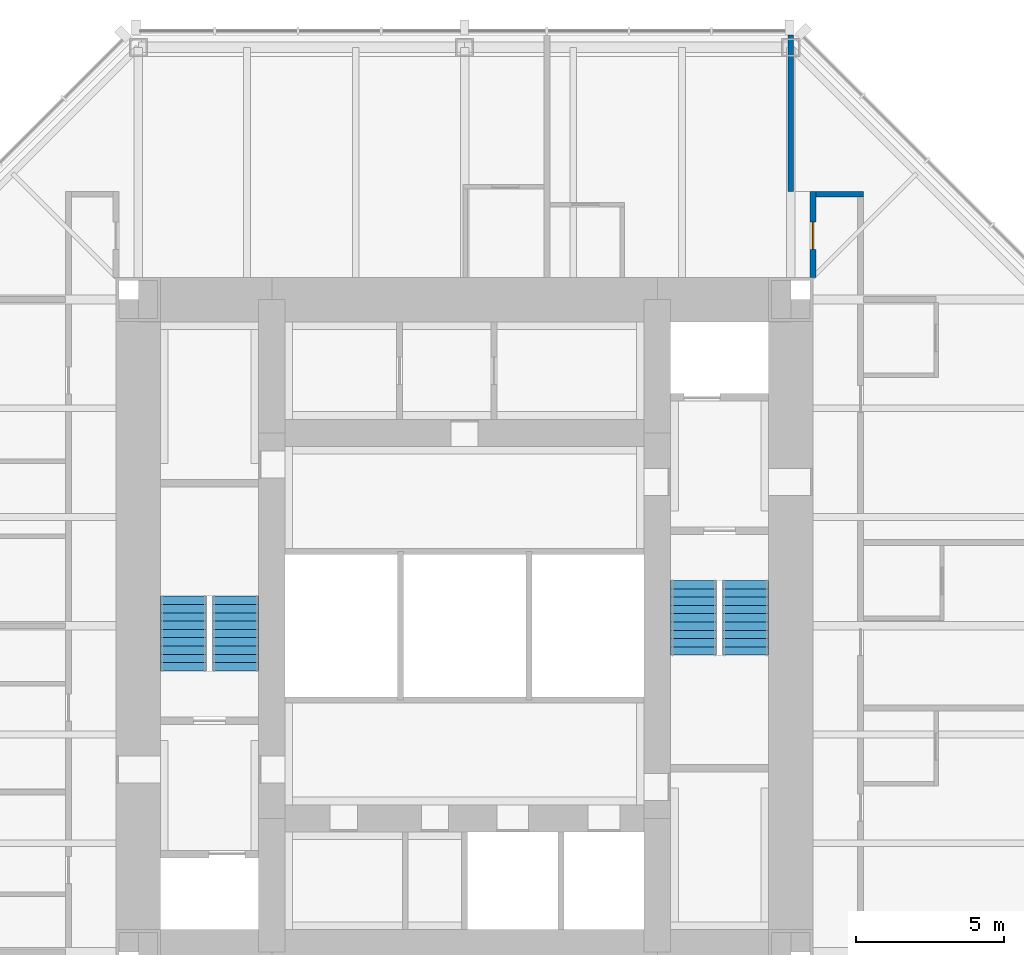
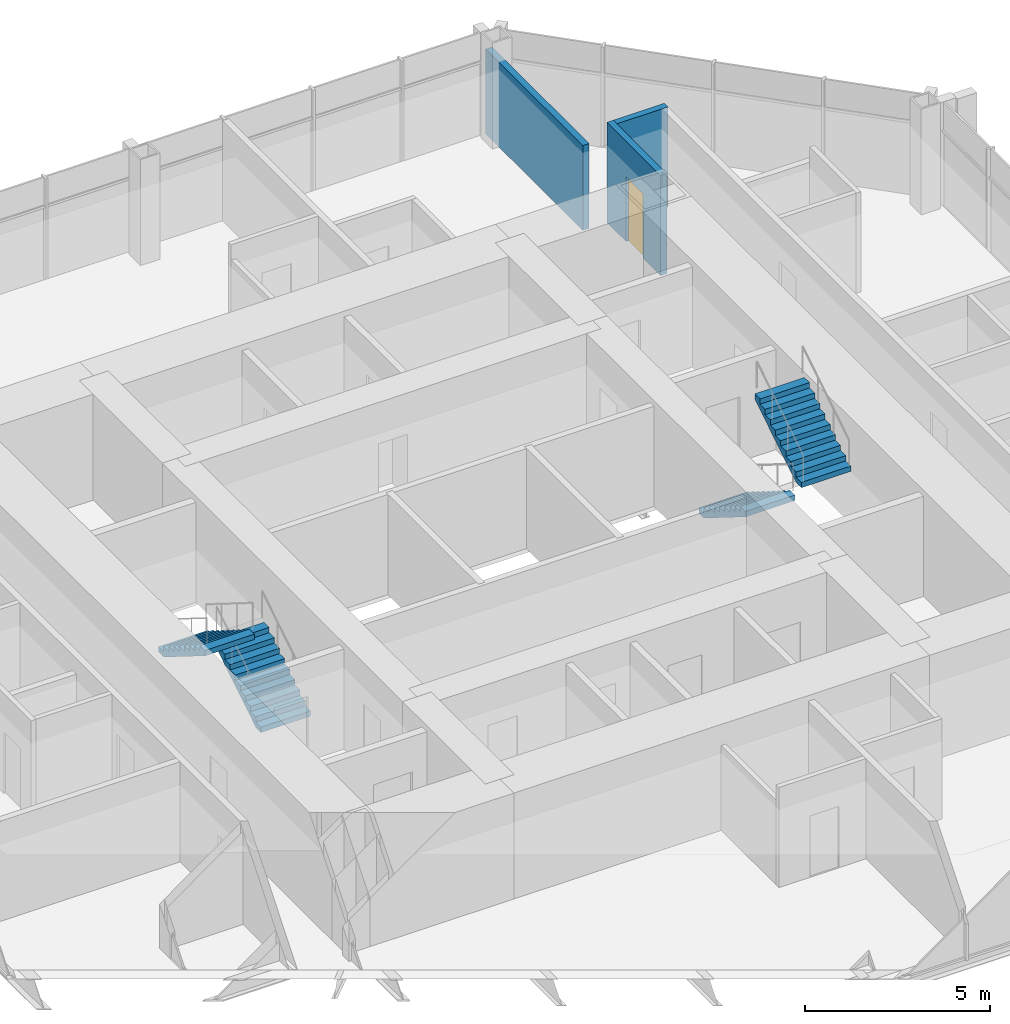
# One storey, part 10 of 11: 4 stair flights, 3 walls, 1 door, 1 opening, 2 elements without a shape of their own.
"""IFC4 building model written with IfcOpenShell, lengths in metres."""

from ifc_helpers import new_model, si_unit, direction, frame, frame_2d, origin, place, context, subcontext, project, spatial, polyline, rectangle, outline, extrude, material, layer, layer_set, type_object, element, fill, aggregate, save


model = new_model("IFC4")

# Units and contexts
model_context = context("Model", 3, precision=1e-05, world=origin(), true_north=direction((0.0, 1.0)))
body_context = subcontext(model_context, "Body", "Model", "MODEL_VIEW")
ifc_project = project(units=[si_unit("LENGTHUNIT", "METRE"), si_unit("AREAUNIT", "SQUARE_METRE"), si_unit("VOLUMEUNIT", "CUBIC_METRE"), si_unit("PLANEANGLEUNIT", "RADIAN"), si_unit("MASSUNIT", "GRAM", prefix="KILO")], contexts=[model_context])

# Site, building, storey
site_placement = place(None, origin())
site = spatial("IfcSite", under=ifc_project, at=site_placement, CompositionType="ELEMENT")
building_placement = place(site_placement, origin())
building = spatial("IfcBuilding", under=site, at=building_placement, Name="Trevanion Tower", CompositionType="ELEMENT")
storey_placement = place(building_placement, frame((0.0, 0.0, 246.699951171875)))
storey = spatial("IfcBuildingStorey", under=building, at=storey_placement, Name="L60", CompositionType="ELEMENT", Elevation=246.699951171875)

# Wall, opening, door
ifc_material_1 = material(Name="Concrete masonry, grouted", Category="masonry")
ifc_layer = layer(ifc_material_1, 0.199951171875)
ifc_layer_set = layer_set([ifc_layer], Name="PT2 partition 200 1 HR")
wall_type = type_object("IfcWallType", Name="PT2 partition 200 1 HR", PredefinedType="PARTITIONING", material=ifc_layer_set)
wall_1_placement = place(storey_placement, frame((11.75, 11.75, 0.0), z_axis=(0.0, 0.0, 1.0), x_axis=(0.0, 1.0, 0.0)))
wall_1 = element("IfcWall", 1, at=wall_1_placement, inside=storey, type_object=wall_type, Name="PT2 L60 HO1a", PredefinedType="PARTITIONING", context=body_context, shape_type="SweptSolid", body=[
    extrude(rectangle(XDim=2.89990234375, YDim=0.199951171875, at=frame_2d((1.449951171875, 0.0))), origin(), (0.0, 0.0, 1.0), 3.31005859375),
])
opening_placement = place(wall_1_placement, frame((0.9423828125, 0.0, 0.0)))
opening = element("IfcOpeningElement", 2, at=opening_placement, cuts=wall_1, Name="Opening 60-024", PredefinedType="OPENING", context=body_context, shape_type="SweptSolid", body=[
    extrude(rectangle(XDim=0.9150390625, YDim=2.134033203125, at=frame_2d((0.45751953125, 1.06689453125))), frame((0.0, 0.10986328125, 0.0), z_axis=(0.0, -1.0, 0.0), x_axis=(1.0, 0.0, 0.0)), (0.0, 0.0, 1.0), 0.219970703125),
])
ifc_material_2 = material(Name="Timber veneer, fire rated", Category="wood")
door_type = type_object("IfcDoorType", Name="D6 guest room entrance door", OperationType="SINGLE_SWING_LEFT", PredefinedType="DOOR", material=ifc_material_2)
door_placement = place(opening_placement, origin())
door = element("IfcDoor", 3, at=door_placement, inside=storey, type_object=door_type, Name="Door 60-024", OperationType="SINGLE_SWING_LEFT", OverallHeight=2.134033203125, OverallWidth=0.9150390625, PredefinedType="DOOR", context=body_context, shape_type="SweptSolid", body=[
    extrude(rectangle(XDim=0.9150390625, YDim=2.134033203125, at=frame_2d((0.45751953125, 1.06689453125))), frame((0.0, 0.02490234375, 0.0), z_axis=(0.0, -1.0, 0.0), x_axis=(1.0, 0.0, 0.0)), (0.0, 0.0, 1.0), 0.050048828125),
])
fill(opening, door)

# Walls
wall_2_placement = place(storey_placement, frame((13.449951171875, 14.550048828125, 0.0), z_axis=(0.0, 0.0, 1.0), x_axis=(-1.0, 0.0, 0.0)))
element("IfcWall", 4, at=wall_2_placement, inside=storey, type_object=wall_type, Name="PT2 L60 HC1ca", PredefinedType="PARTITIONING", context=body_context, shape_type="SweptSolid", body=[
    extrude(rectangle(XDim=1.599853515625, YDim=0.199951171875, at=frame_2d((0.7998046875, 0.0))), origin(), (0.0, 0.0, 1.0), 3.31005859375),
])
wall_3_placement = place(storey_placement, frame((11.0, 14.64990234375, 0.0), z_axis=(0.0, 0.0, 1.0), x_axis=(0.0, 1.0, 0.0)))
element("IfcWall", 5, at=wall_3_placement, inside=storey, type_object=wall_type, Name="PT2 L60 HD10", PredefinedType="PARTITIONING", context=body_context, shape_type="SweptSolid", body=[
    extrude(rectangle(XDim=5.26513671875, YDim=0.199951171875, at=frame_2d((2.632568359375, 0.0))), origin(), (0.0, 0.0, 1.0), 2.802001953125),
])

# Stair, stair flights
ifc_material_3 = material(Name="Concrete 5,000 psi on steel stringers", Category="concrete")
stair_type = type_object("IfcStairType", Name="ST stair", PredefinedType="HALF_TURN_STAIR", material=ifc_material_3)
stair_1_placement = place(storey_placement, origin())
stair_1 = element("IfcStair", 6, at=stair_1_placement, inside=storey, type_object=stair_type, Name="ST1 L60", PredefinedType="HALF_TURN_STAIR")
ifc_material_4 = material(Name="Concrete 5,000 psi in steel pan", Category="concrete")
stair_flight_type = type_object("IfcStairFlightType", Name="STF stair flight", PredefinedType="STRAIGHT", material=ifc_material_4)
stair_flight_1_placement = place(storey_placement, frame((7.72509765625, 1.52490234375, 0.0), z_axis=(0.0, 0.0, 1.0), x_axis=(0.0, -1.0, 0.0)))
stair_flight_1 = element("IfcStairFlight", 7, at=stair_flight_1_placement, type_object=stair_flight_type, Name="ST1 flight 1", NumberOfRisers=10, NumberOfTreads=9, PredefinedType="STRAIGHT", RiserHeight=0.175, TreadLength=0.28, context=body_context, shape_type="SweptSolid", body=[
    extrude(outline(polyline([(0.0, 0.0), (0.0, 0.175048828125), (0.280029296875, 0.175048828125), (0.280029296875, 0.35009765625), (0.56005859375, 0.35009765625), (0.56005859375, 0.52490234375), (0.840087890625, 0.52490234375), (0.840087890625, 0.699951171875), (1.1201171875, 0.699951171875), (1.1201171875, 0.875), (1.39990234375, 0.875), (1.39990234375, 1.050048828125), (1.679931640625, 1.050048828125), (1.679931640625, 1.22509765625), (1.9599609375, 1.22509765625), (1.9599609375, 1.39990234375), (2.239990234375, 1.39990234375), (2.239990234375, 1.574951171875), (2.52001953125, 1.574951171875), (2.52001953125, 1.75), (2.52001953125, 1.398193359375), (0.28271484375, 0.0), (0.0, 0.0)])), frame((0.0, 0.77490234375, 0.0), z_axis=(0.0, -1.0, 0.0), x_axis=(1.0, 0.0, 0.0)), (0.0, 0.0, 1.0), 1.550048828125),
])
stair_flight_2_placement = place(storey_placement, frame((9.47509765625, -0.9951171875, 1.75), z_axis=(0.0, 0.0, 1.0), x_axis=(0.0, 1.0, 0.0)))
stair_flight_2 = element("IfcStairFlight", 8, at=stair_flight_2_placement, type_object=stair_flight_type, Name="ST1 flight 2", NumberOfRisers=10, NumberOfTreads=9, PredefinedType="STRAIGHT", RiserHeight=0.175, TreadLength=0.28, context=body_context, shape_type="SweptSolid", body=[
    extrude(outline(polyline([(0.0, 0.0), (0.0, 0.175048828125), (0.280029296875, 0.175048828125), (0.280029296875, 0.35009765625), (0.56005859375, 0.35009765625), (0.56005859375, 0.52490234375), (0.840087890625, 0.52490234375), (0.840087890625, 0.699951171875), (1.1201171875, 0.699951171875), (1.1201171875, 0.875), (1.39990234375, 0.875), (1.39990234375, 1.050048828125), (1.679931640625, 1.050048828125), (1.679931640625, 1.22509765625), (1.9599609375, 1.22509765625), (1.9599609375, 1.39990234375), (2.239990234375, 1.39990234375), (2.239990234375, 1.574951171875), (2.52001953125, 1.574951171875), (2.52001953125, 1.75), (2.52001953125, 1.398193359375), (0.28271484375, 0.0), (0.0, 0.0)])), frame((0.0, 0.77490234375, 0.0), z_axis=(0.0, -1.0, 0.0), x_axis=(1.0, 0.0, 0.0)), (0.0, 0.0, 1.0), 1.550048828125),
])
aggregate(stair_1, [stair_flight_1, stair_flight_2])

stair_2_placement = place(storey_placement, origin())
stair_2 = element("IfcStair", 9, at=stair_2_placement, inside=storey, type_object=stair_type, Name="ST2 L60", PredefinedType="HALF_TURN_STAIR")
stair_flight_3_placement = place(storey_placement, frame((-7.72509765625, -1.52490234375, 0.0), z_axis=(0.0, 0.0, 1.0), x_axis=(0.0, 1.0, 0.0)))
stair_flight_3 = element("IfcStairFlight", 10, at=stair_flight_3_placement, type_object=stair_flight_type, Name="ST2 flight 1", NumberOfRisers=10, NumberOfTreads=9, PredefinedType="STRAIGHT", RiserHeight=0.175, TreadLength=0.28, context=body_context, shape_type="SweptSolid", body=[
    extrude(outline(polyline([(0.0, 0.0), (0.0, 0.175048828125), (0.280029296875, 0.175048828125), (0.280029296875, 0.35009765625), (0.56005859375, 0.35009765625), (0.56005859375, 0.52490234375), (0.840087890625, 0.52490234375), (0.840087890625, 0.699951171875), (1.1201171875, 0.699951171875), (1.1201171875, 0.875), (1.39990234375, 0.875), (1.39990234375, 1.050048828125), (1.679931640625, 1.050048828125), (1.679931640625, 1.22509765625), (1.9599609375, 1.22509765625), (1.9599609375, 1.39990234375), (2.239990234375, 1.39990234375), (2.239990234375, 1.574951171875), (2.52001953125, 1.574951171875), (2.52001953125, 1.75), (2.52001953125, 1.398193359375), (0.28271484375, 0.0), (0.0, 0.0)])), frame((0.0, 0.77490234375, 0.0), z_axis=(0.0, -1.0, 0.0), x_axis=(1.0, 0.0, 0.0)), (0.0, 0.0, 1.0), 1.550048828125),
])
stair_flight_4_placement = place(storey_placement, frame((-9.47509765625, 0.9951171875, 1.75), z_axis=(0.0, 0.0, 1.0), x_axis=(0.0, -1.0, 0.0)))
stair_flight_4 = element("IfcStairFlight", 11, at=stair_flight_4_placement, type_object=stair_flight_type, Name="ST2 flight 2", NumberOfRisers=10, NumberOfTreads=9, PredefinedType="STRAIGHT", RiserHeight=0.175, TreadLength=0.28, context=body_context, shape_type="SweptSolid", body=[
    extrude(outline(polyline([(0.0, 0.0), (0.0, 0.175048828125), (0.280029296875, 0.175048828125), (0.280029296875, 0.35009765625), (0.56005859375, 0.35009765625), (0.56005859375, 0.52490234375), (0.840087890625, 0.52490234375), (0.840087890625, 0.699951171875), (1.1201171875, 0.699951171875), (1.1201171875, 0.875), (1.39990234375, 0.875), (1.39990234375, 1.050048828125), (1.679931640625, 1.050048828125), (1.679931640625, 1.22509765625), (1.9599609375, 1.22509765625), (1.9599609375, 1.39990234375), (2.239990234375, 1.39990234375), (2.239990234375, 1.574951171875), (2.52001953125, 1.574951171875), (2.52001953125, 1.75), (2.52001953125, 1.398193359375), (0.28271484375, 0.0), (0.0, 0.0)])), frame((0.0, 0.77490234375, 0.0), z_axis=(0.0, -1.0, 0.0), x_axis=(1.0, 0.0, 0.0)), (0.0, 0.0, 1.0), 1.550048828125),
])
aggregate(stair_2, [stair_flight_3, stair_flight_4])

save(model, "model.ifc")
